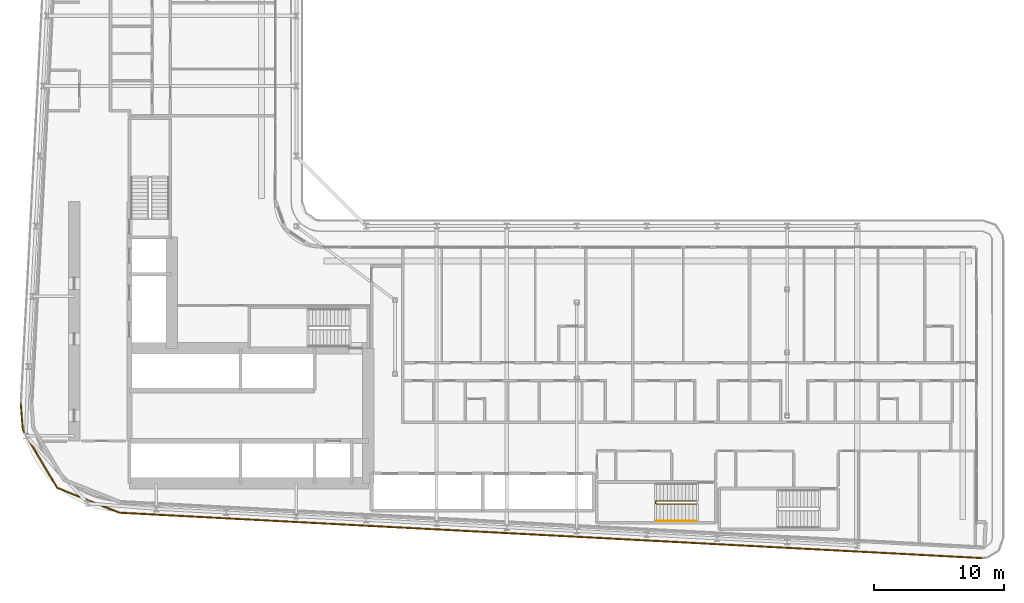
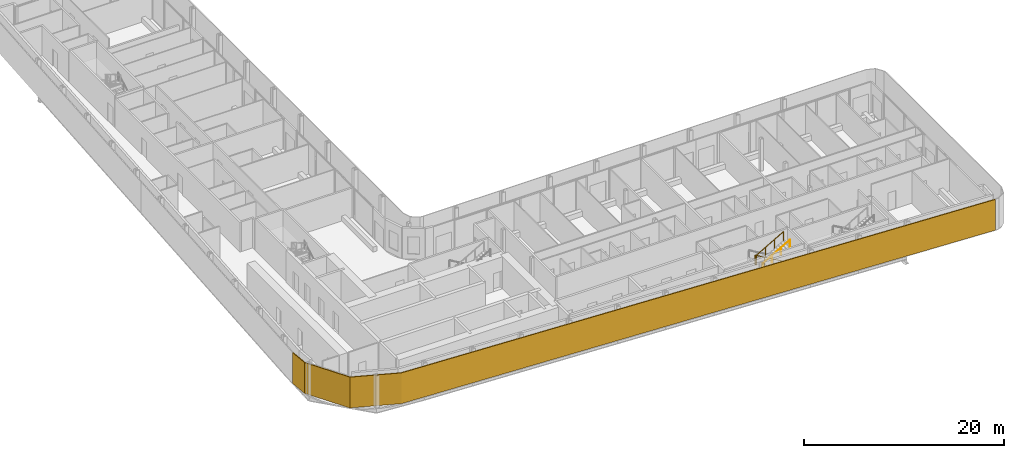
# One storey, part 24 of 28: 2 railings, 1 shading device.
"""IFC4 building model written with IfcOpenShell, lengths in metres."""

import ifcopenshell
import ifcopenshell.guid

model = None  # the IFC model being written
_history = None  # IfcOwnerHistory: only IFC2X3 demands one
_inside = {}  # id of a spatial element -> (the spatial element, [elements in it])
_under = {}  # id of a project, library or spatial element -> (it, [spatial elements below it])
_declared = {}  # id of a project -> (the project, [libraries it declares])
_typed = {}  # id of a type object -> (the type object, [elements of that type])
_made_of = {}  # id of a material, layer set ... -> (it, [elements and type objects made of it])


def new_model(schema):
    """Start an empty IFC model of exactly this schema.

    Asked for "IFC4X3", IfcOpenShell would pick the latest addendum, in which some entities
    have other attributes; the version numbers below select the first issue.
    IFC2X3 requires an IfcOwnerHistory on every rooted entity: one is made here for all.
    """
    global model, _history
    if schema == "IFC4X3":
        model = ifcopenshell.file(schema_version=(4, 3, 0, 0))
    else:
        model = ifcopenshell.file(schema=schema)
    _inside.clear()
    _under.clear()
    _declared.clear()
    _typed.clear()
    _made_of.clear()
    _history = None
    if model.schema == "IFC2X3":
        org = make("IfcOrganization", Name="unknown")
        user = make(
            "IfcPersonAndOrganization",
            ThePerson=make("IfcPerson", FamilyName="unknown"),
            TheOrganization=org,
        )
        app = make(
            "IfcApplication",
            ApplicationDeveloper=org,
            Version="unknown",
            ApplicationFullName="unknown",
            ApplicationIdentifier="unknown",
        )
        _history = make(
            "IfcOwnerHistory",
            OwningUser=user,
            OwningApplication=app,
            ChangeAction="ADDED",
            CreationDate=0,
        )
    return model


def make(cls, **values):
    """One entity of the class cls with the attributes given. An attribute that is None is left unset."""
    return model.create_entity(
        cls, **{name: value for name, value in values.items() if value is not None}
    )


def rooted(cls, **values):
    """An entity with a GlobalId (a new one), such as an element, a storey or a relation."""
    return make(cls, GlobalId=ifcopenshell.guid.new(), OwnerHistory=_history, **values)


def si_unit(unit_type, name, prefix=None):
    """IfcSIUnit, for example si_unit("LENGTHUNIT", "METRE", prefix="MILLI")."""
    return make("IfcSIUnit", UnitType=unit_type, Prefix=prefix, Name=name)


def assignment(units):
    """IfcUnitAssignment: the units of a project."""
    return None if units is None else make("IfcUnitAssignment", Units=units)


def point(xyz):
    """IfcCartesianPoint."""
    return None if xyz is None else make("IfcCartesianPoint", Coordinates=xyz)


def direction(xyz):
    """IfcDirection."""
    return None if xyz is None else make("IfcDirection", DirectionRatios=xyz)


def frame(location, z_axis=None, x_axis=None):
    """IfcAxis2Placement3D, a coordinate frame: its origin and axes. An axis left out is left unset."""
    return make(
        "IfcAxis2Placement3D",
        Location=point(location),
        Axis=direction(z_axis),
        RefDirection=direction(x_axis),
    )


def frame_2d(location, x_axis=None):
    """IfcAxis2Placement2D, a coordinate frame in the plane: its origin and x axis."""
    return make(
        "IfcAxis2Placement2D", Location=point(location), RefDirection=direction(x_axis)
    )


def origin():
    """The frame at (0, 0, 0) with its axes left unset."""
    return frame((0.0, 0.0, 0.0))


def origin_2d():
    """The frame at (0, 0) in the plane with its x axis left unset."""
    return frame_2d((0.0, 0.0))


def place(relative_to, where):
    """IfcLocalPlacement: puts the frame where relative to a parent placement (None: the world)."""
    return make(
        "IfcLocalPlacement", PlacementRelTo=relative_to, RelativePlacement=where
    )


def context(
    kind, dimensions, precision=None, world=None, true_north=None, identifier=None
):
    """IfcGeometricRepresentationContext, for example the 3D "Model" context."""
    return make(
        "IfcGeometricRepresentationContext",
        ContextIdentifier=identifier,
        ContextType=kind,
        CoordinateSpaceDimension=dimensions,
        Precision=precision,
        WorldCoordinateSystem=world,
        TrueNorth=true_north,
    )


def subcontext(parent, identifier, kind, view, scale=None):
    """IfcGeometricRepresentationSubContext, for example "Body" below "Model"."""
    return make(
        "IfcGeometricRepresentationSubContext",
        ContextIdentifier=identifier,
        ContextType=kind,
        ParentContext=parent,
        TargetScale=scale,
        TargetView=view,
    )


def project(units=None, contexts=None):
    """IfcProject with its units and contexts."""
    return rooted(
        "IfcProject",
        Name="project",
        RepresentationContexts=contexts,
        UnitsInContext=assignment(units),
    )


def spatial(cls, under=None, at=None, **own):
    """A site, building, storey or space (cls), placed at a placement, below another one or the project."""
    s = rooted(cls, ObjectPlacement=at, **own)
    if under is not None:
        _under.setdefault(under.id(), (under, []))[1].append(s)
    return s


def polyline(points):
    """IfcPolyline through the points."""
    return make("IfcPolyline", Points=[point(p) for p in points])


def profile(cls, at=None, kind="AREA", **sizes):
    """A parametric profile (cls). Its sizes go by their IFC names, for example OverallWidth=200.0."""
    return make(cls, ProfileType=kind, Position=at, **sizes)


def circle(**sizes):
    """IfcCircleProfileDef."""
    return profile("IfcCircleProfileDef", **sizes)


def outline(outer, holes=None, kind="AREA"):
    """IfcArbitraryClosedProfileDef: a profile drawn as a closed curve; with holes, ...WithVoids."""
    if holes is None:
        return make("IfcArbitraryClosedProfileDef", ProfileType=kind, OuterCurve=outer)
    return make(
        "IfcArbitraryProfileDefWithVoids",
        ProfileType=kind,
        OuterCurve=outer,
        InnerCurves=holes,
    )


def extrude(swept, where, along, depth):
    """IfcExtrudedAreaSolid: the profile swept, set in the frame where, extruded along a direction by depth."""
    return make(
        "IfcExtrudedAreaSolid",
        SweptArea=swept,
        Position=where,
        ExtrudedDirection=direction(along),
        Depth=depth,
    )


def shape(context_of_items, identifier, shape_type, items):
    """IfcShapeRepresentation: the items that make up one representation, for example the "Body"."""
    return make(
        "IfcShapeRepresentation",
        ContextOfItems=context_of_items,
        RepresentationIdentifier=identifier,
        RepresentationType=shape_type,
        Items=items,
    )


def material(Name=None, Category=None):
    """IfcMaterial."""
    return make("IfcMaterial", Name=Name, Category=Category)


def layer(
    of_material, thickness, ventilated=None, Name=None, Category=None, Priority=None
):
    """IfcMaterialLayer: one layer of a wall or slab, of a material (None: an air gap)."""
    return make(
        "IfcMaterialLayer",
        Material=of_material,
        LayerThickness=thickness,
        IsVentilated=ventilated,
        Name=Name,
        Category=Category,
        Priority=Priority,
    )


def layer_set(layers, Name=None):
    """IfcMaterialLayerSet."""
    return make("IfcMaterialLayerSet", MaterialLayers=layers, LayerSetName=Name)


def made_of(thing, what):
    """Note that an element or type object is made of a material, layer set ...; save() writes the relation."""
    if what is not None:
        _made_of.setdefault(what.id(), (what, []))[1].append(thing)
    return thing


def type_object(cls, material=None, **own):
    """A type object (cls), such as IfcWallType, which elements share."""
    return made_of(rooted(cls, **own), material)


def element(
    cls,
    number,
    at=None,
    inside=None,
    cuts=None,
    type_object=None,
    material=None,
    context=None,
    identifier="Body",
    shape_type=None,
    held_by="IfcProductDefinitionShape",
    body=None,
    shapes=None,
    **own,
):
    """One element of the class cls, such as IfcWall. Its Tag is "e" and its number.

    at: its placement. inside: the storey or other place that contains it. cuts: it is an
    opening in that element (IfcRelVoidsElement). A single representation is given by context,
    identifier, shape_type and body (its items); several are given by shapes. held_by: the class
    of the entity that holds the representations. save() writes the other relations.
    """
    e = rooted(cls, Tag="e%d" % number, ObjectPlacement=at, **own)
    if body is not None:
        shapes = [shape(context, identifier, shape_type, body)]
    if shapes is not None:
        e.Representation = make(held_by, Representations=shapes)
    if inside is not None:
        _inside.setdefault(inside.id(), (inside, []))[1].append(e)
    if cuts is not None:
        rooted(
            "IfcRelVoidsElement", RelatingBuildingElement=cuts, RelatedOpeningElement=e
        )
    if type_object is not None:
        _typed.setdefault(type_object.id(), (type_object, []))[1].append(e)
    return made_of(e, material)


def aggregate(whole, parts):
    """IfcRelAggregates: a whole, such as a stair, and the parts it consists of."""
    return rooted("IfcRelAggregates", RelatingObject=whole, RelatedObjects=parts)


def save(model, path):
    """Write the relations noted so far, then the file.

    IfcRelAggregates (storeys below a building ...), IfcRelContainedInSpatialStructure (elements
    in a storey), IfcRelDefinesByType, IfcRelAssociatesMaterial and IfcRelDeclares: one each for
    every whole, place, type object, material and project.
    """
    for whole, parts in _under.values():
        aggregate(whole, parts)
    for where, things in _inside.values():
        rooted(
            "IfcRelContainedInSpatialStructure",
            RelatedElements=things,
            RelatingStructure=where,
        )
    for kind, things in _typed.values():
        rooted("IfcRelDefinesByType", RelatedObjects=things, RelatingType=kind)
    for what, things in _made_of.values():
        rooted("IfcRelAssociatesMaterial", RelatedObjects=things, RelatingMaterial=what)
    for by, libraries in _declared.values():
        rooted("IfcRelDeclares", RelatingContext=by, RelatedDefinitions=libraries)
    model.write(path)


model = new_model("IFC4")

# Units and contexts
model_context = context("Model", 3, precision=1e-05, world=origin(), true_north=direction((0.0, 1.0)))
body_context = subcontext(model_context, "Body", "Model", "MODEL_VIEW")
ifc_project = project(units=[si_unit("LENGTHUNIT", "METRE"), si_unit("AREAUNIT", "SQUARE_METRE"), si_unit("VOLUMEUNIT", "CUBIC_METRE"), si_unit("PLANEANGLEUNIT", "RADIAN"), si_unit("MASSUNIT", "GRAM", prefix="KILO")], contexts=[model_context])

# Site, building, storey
site_placement = place(None, origin())
site = spatial("IfcSite", under=ifc_project, at=site_placement, CompositionType="ELEMENT")
building_placement = place(site_placement, origin())
building = spatial("IfcBuilding", under=site, at=building_placement, Name="Kheshtan School and Residences Tower", CompositionType="ELEMENT")
storey_placement = place(building_placement, frame((0.0, 0.0, 137.0)))
storey = spatial("IfcBuildingStorey", under=building, at=storey_placement, Name="L32", CompositionType="ELEMENT", Elevation=137.0)

# Shading device
ifc_material_1 = material(Name="Terracotta baguette, extruded ceramic", Category="masonry")
ifc_layer = layer(ifc_material_1, 0.10009765625)
ifc_layer_set = layer_set([ifc_layer], Name="Ledge screen, terracotta baguettes")
shading_device_type = type_object("IfcShadingDeviceType", Name="Ledge screen, terracotta baguettes", PredefinedType="USERDEFINED", material=ifc_layer_set)
shading_device_placement = place(storey_placement, origin())
element("IfcShadingDevice", 1, at=shading_device_placement, inside=storey, type_object=shading_device_type, Name="Screen L32 3", ObjectType="BAGUETTE", PredefinedType="USERDEFINED", context=body_context, shape_type="SweptSolid", body=[
    extrude(outline(polyline([(100.4208984375, 20.0830078125), (33.989013671875, 23.580078125), (29.2119140625, 25.486083984375), (26.583984375, 29.906982421875), (26.419921875, 31.989013671875), (26.320068359375, 31.98095703125), (26.486083984375, 29.8759765625), (29.14306640625, 25.406005859375), (33.967041015625, 23.48095703125), (100.416015625, 19.98291015625), (100.4208984375, 20.0830078125)])), origin(), (0.0, 0.0, 1.0), 3.75),
])

# Railings
ifc_material_2 = material(Name="Stainless steel balustrade", Category="steel")
railing_type_1 = type_object("IfcRailingType", Name="Stair guard 1100", PredefinedType="GUARDRAIL", material=ifc_material_2)
railing_1_placement = place(storey_placement, frame((78.409912109375, 24.449951171875, 0.16259765625)))
element("IfcRailing", 2, at=railing_1_placement, inside=storey, type_object=railing_type_1, Name="L32 ST5 stair guard 1", PredefinedType="GUARDRAIL", context=body_context, shape_type="SweptSolid", body=[
    extrude(circle(Radius=0.02392578125, at=origin_2d()), frame((0.0, 0.0, 1.076171875), z_axis=(-0.864903211148, 0.0, 0.501938676878), x_axis=(0.0, -1.0, 0.0)), (0.0, 0.0, 1.0), 3.560791015625),
    extrude(circle(Radius=0.02392578125, at=origin_2d()), frame((-3.079833984375, 0.0, 2.86328125), z_axis=(-0.707106781187, -0.707106781187, 0.0), x_axis=(0.707106781187, -0.707106781187, 0.0)), (0.0, 0.0, 1.0), 0.07080078125),
    extrude(circle(Radius=0.02392578125, at=origin_2d()), frame((-3.1298828125, -0.050048828125, 2.86328125), z_axis=(0.0, -1.0, 0.0), x_axis=(1.0, 0.0, 0.0)), (0.0, 0.0, 1.0), 0.14990234375),
    extrude(circle(Radius=0.02392578125, at=origin_2d()), frame((-3.1298828125, -0.199951171875, 2.86328125), z_axis=(0.282227285176, -0.282227285176, 0.916894497205), x_axis=(0.707106781187, 0.707106781187, 0.0)), (0.0, 0.0, 1.0), 0.17724609375),
    extrude(circle(Radius=0.02392578125, at=origin_2d()), frame((-3.079833984375, -0.25, 3.02587890625), z_axis=(0.864903211148, 0.0, 0.501938676878), x_axis=(0.0, 1.0, 0.0)), (0.0, 0.0, 1.0), 3.560791015625),
    extrude(circle(Radius=0.02099609375, at=origin_2d()), origin(), (0.0, 0.0, 1.0), 1.052001953125),
    extrude(circle(Radius=0.02099609375, at=origin_2d()), frame((-1.026611328125, 0.0, 0.595703125)), (0.0, 0.0, 1.0), 1.052001953125),
    extrude(circle(Radius=0.02099609375, at=origin_2d()), frame((-2.05322265625, 0.0, 1.191650390625)), (0.0, 0.0, 1.0), 1.052001953125),
    extrude(circle(Radius=0.02099609375, at=origin_2d()), frame((-3.079833984375, 0.0, 1.787353515625)), (0.0, 0.0, 1.0), 1.052001953125),
    extrude(circle(Radius=0.02099609375, at=origin_2d()), frame((-3.1298828125, -0.050048828125, 1.787353515625)), (0.0, 0.0, 1.0), 1.052001953125),
    extrude(circle(Radius=0.02099609375, at=origin_2d()), frame((-3.1298828125, -0.199951171875, 1.787353515625)), (0.0, 0.0, 1.0), 1.052001953125),
    extrude(circle(Radius=0.02099609375, at=origin_2d()), frame((-3.079833984375, -0.25, 1.949951171875)), (0.0, 0.0, 1.0), 1.052001953125),
    extrude(circle(Radius=0.02099609375, at=origin_2d()), frame((-2.05322265625, -0.25, 2.545654296875)), (0.0, 0.0, 1.0), 1.052001953125),
    extrude(circle(Radius=0.02099609375, at=origin_2d()), frame((-1.026611328125, -0.25, 3.1416015625)), (0.0, 0.0, 1.0), 1.052001953125),
    extrude(circle(Radius=0.02099609375, at=origin_2d()), frame((0.0, -0.25, 3.7373046875)), (0.0, 0.0, 1.0), 1.052001953125),
])
ifc_material_3 = material(Name="Stainless steel handrail", Category="steel")
railing_type_2 = type_object("IfcRailingType", Name="Stair handrail 900", PredefinedType="HANDRAIL", material=ifc_material_3)
railing_2_placement = place(storey_placement, frame((75.330078125, 22.89990234375, 2.112548828125)))
element("IfcRailing", 3, at=railing_2_placement, inside=storey, type_object=railing_type_2, Name="L32 ST5 stair handrail 2", PredefinedType="HANDRAIL", context=body_context, shape_type="SweptSolid", body=[
    extrude(circle(Radius=0.02392578125, at=origin_2d()), frame((0.0, 0.0, 0.8759765625), z_axis=(0.864903211148, 0.0, 0.501938676878), x_axis=(0.0, 1.0, 0.0)), (0.0, 0.0, 1.0), 3.560791015625),
    extrude(circle(Radius=0.02099609375, at=origin_2d()), origin(), (0.0, 0.0, 1.0), 0.851806640625),
    extrude(circle(Radius=0.02099609375, at=origin_2d()), frame((1.026611328125, 0.0, 0.595703125)), (0.0, 0.0, 1.0), 0.851806640625),
    extrude(circle(Radius=0.02099609375, at=origin_2d()), frame((2.05322265625, 0.0, 1.191650390625)), (0.0, 0.0, 1.0), 0.851806640625),
    extrude(circle(Radius=0.02099609375, at=origin_2d()), frame((3.079833984375, 0.0, 1.787353515625)), (0.0, 0.0, 1.0), 0.851806640625),
])

save(model, "model.ifc")
